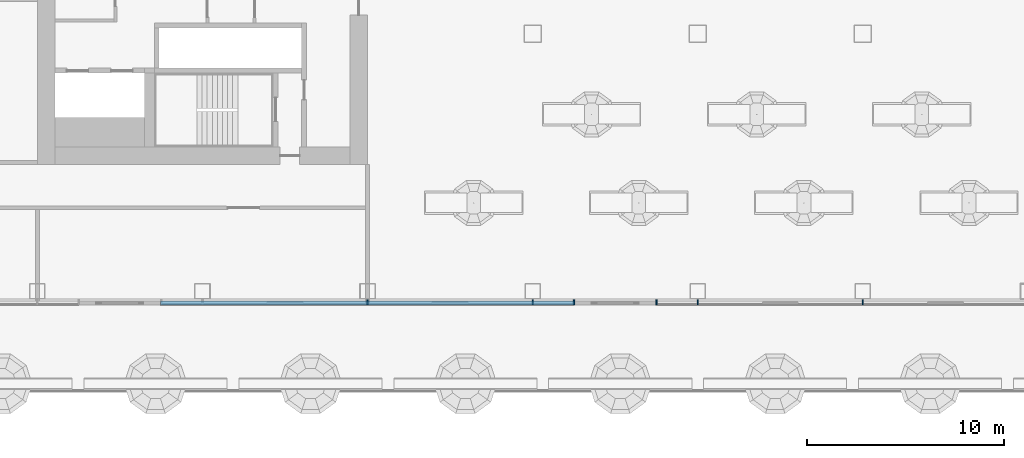
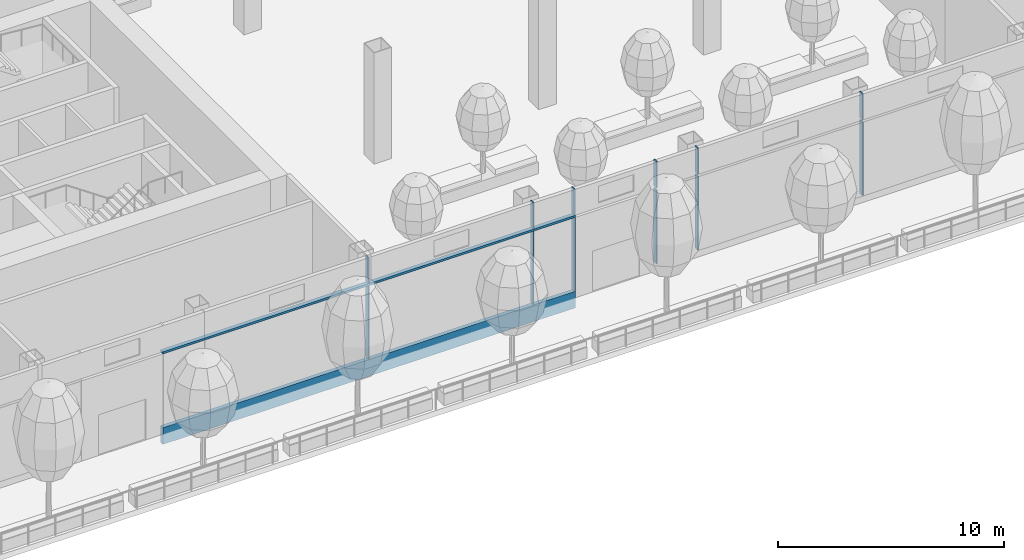
# One storey, part 3 of 44: 14 members, 1 element without a shape of its own.
"""IFC4 building model written with IfcOpenShell, lengths in metres."""

from ifc_helpers import new_model, si_unit, direction, frame, origin, origin_2d, place, context, subcontext, project, spatial, rectangle, extrude, material, layer, layer_set, material_profile, profile_set, type_object, element, aggregate, save


model = new_model("IFC4")

# Units and contexts
model_context = context("Model", 3, precision=1e-05, world=origin(), true_north=direction((0.0, 1.0)))
body_context = subcontext(model_context, "Body", "Model", "MODEL_VIEW")
ifc_project = project(units=[si_unit("LENGTHUNIT", "METRE"), si_unit("AREAUNIT", "SQUARE_METRE"), si_unit("VOLUMEUNIT", "CUBIC_METRE"), si_unit("PLANEANGLEUNIT", "RADIAN"), si_unit("MASSUNIT", "GRAM", prefix="KILO")], contexts=[model_context])

# Site, building, storey
site_placement = place(None, origin())
site = spatial("IfcSite", under=ifc_project, at=site_placement, CompositionType="ELEMENT")
building_placement = place(site_placement, origin())
building = spatial("IfcBuilding", under=site, at=building_placement, Name="Hakoniwa Tower and Hamabe Station Hall", CompositionType="ELEMENT")
storey_placement = place(building_placement, frame((0.0, 0.0, 69.0)))
storey = spatial("IfcBuildingStorey", under=building, at=storey_placement, Name="L19", CompositionType="ELEMENT", Elevation=69.0)

# Curtain wall, members
ifc_material_1 = material(Name="Dark low-e laminated glass", Category="glass")
ifc_layer = layer(ifc_material_1, 0.199951171875)
ifc_layer_set = layer_set([ifc_layer], Name="CW-2 SKY GARDEN")
curtain_wall_type = type_object("IfcCurtainWallType", Name="CW-2 SKY GARDEN", PredefinedType="NOTDEFINED", material=ifc_layer_set)
curtain_wall_placement = place(storey_placement, origin())
curtain_wall = element("IfcCurtainWall", 1, at=curtain_wall_placement, inside=storey, type_object=curtain_wall_type, Name="CW-2 curtain wall", PredefinedType="NOTDEFINED")
ifc_material_2 = material(Name="Aluminium 6063-T5 black anodised", Category="aluminium")
ifc_material_profile_1 = material_profile(ifc_material_2, rectangle(XDim=0.199951171875, YDim=0.1201171875, at=origin_2d()), Name="CW MID TRANSOM 120X200")
ifc_profile_set_1 = profile_set([ifc_material_profile_1], Name="Aluminium 6063-T5 black anodised")
member_type_1 = type_object("IfcMemberType", Name="CW MID TRANSOM 120X200", PredefinedType="USERDEFINED", material=ifc_profile_set_1)
member_1_placement = place(storey_placement, frame((-27.330078125, -15.449951171875, 4.389892578125), z_axis=(1.0, 0.0, 0.0), x_axis=(0.0, 1.0, 0.0)))
member_1 = element("IfcMember", 2, at=member_1_placement, type_object=member_type_1, Name="CW-2 transom", ObjectType="TRANSOM", PredefinedType="USERDEFINED", context=body_context, shape_type="SweptSolid", body=[
    extrude(rectangle(XDim=0.199951171875, YDim=0.1201171875, at=origin_2d()), origin(), (0.0, 0.0, 1.0), 21.06005859375),
])
ifc_material_3 = material(Name="Aluminium 6063-T5 black anodised", Category="aluminium")
ifc_material_profile_2 = material_profile(ifc_material_3, rectangle(XDim=0.199951171875, YDim=0.89990234375, at=origin_2d()), Name="CW SLAB-EDGE BAND 900X200")
ifc_profile_set_2 = profile_set([ifc_material_profile_2], Name="Aluminium 6063-T5 black anodised")
member_type_2 = type_object("IfcMemberType", Name="CW SLAB-EDGE BAND 900X200", PredefinedType="USERDEFINED", material=ifc_profile_set_2)
member_2_placement = place(storey_placement, frame((-27.330078125, -15.449951171875, -0.10009765625), z_axis=(1.0, 0.0, 0.0), x_axis=(0.0, 1.0, 0.0)))
member_2 = element("IfcMember", 3, at=member_2_placement, type_object=member_type_2, Name="CW-2 transom", ObjectType="TRANSOM", PredefinedType="USERDEFINED", context=body_context, shape_type="SweptSolid", body=[
    extrude(rectangle(XDim=0.199951171875, YDim=0.89990234375, at=origin_2d()), origin(), (0.0, 0.0, 1.0), 21.06005859375),
])
ifc_material_4 = material(Name="Aluminium 6063-T5 black anodised", Category="aluminium")
ifc_material_profile_3 = material_profile(ifc_material_4, rectangle(XDim=0.06005859375, YDim=0.239990234375, at=origin_2d()), Name="CW-2 MULLION 60X240")
ifc_profile_set_3 = profile_set([ifc_material_profile_3], Name="Aluminium 6063-T5 black anodised")
member_type_3 = type_object("IfcMemberType", Name="CW-2 MULLION 60X240", PredefinedType="MULLION", material=ifc_profile_set_3)
member_3_placement = place(storey_placement, frame((-16.800048828125, -15.402099609375, 0.35009765625), z_axis=(0.0, 0.0, 1.0), x_axis=(1.0, 0.0, 0.0)))
member_3 = element("IfcMember", 4, at=member_3_placement, type_object=member_type_3, Name="CW-2 mullion", PredefinedType="MULLION", context=body_context, shape_type="SweptSolid", body=[
    extrude(rectangle(XDim=0.06005859375, YDim=0.239990234375, at=origin_2d()), origin(), (0.0, 0.0, 1.0), 3.97998046875),
])
member_4_placement = place(storey_placement, frame((-16.800048828125, -15.402099609375, 4.449951171875), z_axis=(0.0, 0.0, 1.0), x_axis=(1.0, 0.0, 0.0)))
member_4 = element("IfcMember", 5, at=member_4_placement, type_object=member_type_3, Name="CW-2 mullion", PredefinedType="MULLION", context=body_context, shape_type="SweptSolid", body=[
    extrude(rectangle(XDim=0.06005859375, YDim=0.239990234375, at=origin_2d()), origin(), (0.0, 0.0, 1.0), 1.400146484375),
])
member_5_placement = place(storey_placement, frame((-8.39990234375, -15.402099609375, 0.35009765625), z_axis=(0.0, 0.0, 1.0), x_axis=(1.0, 0.0, 0.0)))
member_5 = element("IfcMember", 6, at=member_5_placement, type_object=member_type_3, Name="CW-2 mullion", PredefinedType="MULLION", context=body_context, shape_type="SweptSolid", body=[
    extrude(rectangle(XDim=0.06005859375, YDim=0.239990234375, at=origin_2d()), origin(), (0.0, 0.0, 1.0), 3.97998046875),
])
member_6_placement = place(storey_placement, frame((-8.39990234375, -15.402099609375, 4.449951171875), z_axis=(0.0, 0.0, 1.0), x_axis=(1.0, 0.0, 0.0)))
member_6 = element("IfcMember", 7, at=member_6_placement, type_object=member_type_3, Name="CW-2 mullion", PredefinedType="MULLION", context=body_context, shape_type="SweptSolid", body=[
    extrude(rectangle(XDim=0.06005859375, YDim=0.239990234375, at=origin_2d()), origin(), (0.0, 0.0, 1.0), 1.400146484375),
])
member_7_placement = place(storey_placement, frame((-6.300048828125, -15.402099609375, 0.35009765625), z_axis=(0.0, 0.0, 1.0), x_axis=(1.0, 0.0, 0.0)))
member_7 = element("IfcMember", 8, at=member_7_placement, type_object=member_type_3, Name="CW-2 mullion", PredefinedType="MULLION", context=body_context, shape_type="SweptSolid", body=[
    extrude(rectangle(XDim=0.06005859375, YDim=0.239990234375, at=origin_2d()), origin(), (0.0, 0.0, 1.0), 3.97998046875),
])
member_8_placement = place(storey_placement, frame((-6.300048828125, -15.402099609375, 4.449951171875), z_axis=(0.0, 0.0, 1.0), x_axis=(1.0, 0.0, 0.0)))
member_8 = element("IfcMember", 9, at=member_8_placement, type_object=member_type_3, Name="CW-2 mullion", PredefinedType="MULLION", context=body_context, shape_type="SweptSolid", body=[
    extrude(rectangle(XDim=0.06005859375, YDim=0.239990234375, at=origin_2d()), origin(), (0.0, 0.0, 1.0), 1.400146484375),
])
member_9_placement = place(storey_placement, frame((-2.10009765625, -15.402099609375, 0.35009765625), z_axis=(0.0, 0.0, 1.0), x_axis=(1.0, 0.0, 0.0)))
member_9 = element("IfcMember", 10, at=member_9_placement, type_object=member_type_3, Name="CW-2 mullion", PredefinedType="MULLION", context=body_context, shape_type="SweptSolid", body=[
    extrude(rectangle(XDim=0.06005859375, YDim=0.239990234375, at=origin_2d()), origin(), (0.0, 0.0, 1.0), 3.97998046875),
])
member_10_placement = place(storey_placement, frame((-2.10009765625, -15.402099609375, 4.449951171875), z_axis=(0.0, 0.0, 1.0), x_axis=(1.0, 0.0, 0.0)))
member_10 = element("IfcMember", 11, at=member_10_placement, type_object=member_type_3, Name="CW-2 mullion", PredefinedType="MULLION", context=body_context, shape_type="SweptSolid", body=[
    extrude(rectangle(XDim=0.06005859375, YDim=0.239990234375, at=origin_2d()), origin(), (0.0, 0.0, 1.0), 1.400146484375),
])
member_11_placement = place(storey_placement, frame((0.0, -15.402099609375, 0.35009765625), z_axis=(0.0, 0.0, 1.0), x_axis=(1.0, 0.0, 0.0)))
member_11 = element("IfcMember", 12, at=member_11_placement, type_object=member_type_3, Name="CW-2 mullion", PredefinedType="MULLION", context=body_context, shape_type="SweptSolid", body=[
    extrude(rectangle(XDim=0.06005859375, YDim=0.239990234375, at=origin_2d()), origin(), (0.0, 0.0, 1.0), 3.97998046875),
])
member_12_placement = place(storey_placement, frame((0.0, -15.402099609375, 4.449951171875), z_axis=(0.0, 0.0, 1.0), x_axis=(1.0, 0.0, 0.0)))
member_12 = element("IfcMember", 13, at=member_12_placement, type_object=member_type_3, Name="CW-2 mullion", PredefinedType="MULLION", context=body_context, shape_type="SweptSolid", body=[
    extrude(rectangle(XDim=0.06005859375, YDim=0.239990234375, at=origin_2d()), origin(), (0.0, 0.0, 1.0), 1.400146484375),
])
member_13_placement = place(storey_placement, frame((8.39990234375, -15.402099609375, 0.35009765625), z_axis=(0.0, 0.0, 1.0), x_axis=(1.0, 0.0, 0.0)))
member_13 = element("IfcMember", 14, at=member_13_placement, type_object=member_type_3, Name="CW-2 mullion", PredefinedType="MULLION", context=body_context, shape_type="SweptSolid", body=[
    extrude(rectangle(XDim=0.06005859375, YDim=0.239990234375, at=origin_2d()), origin(), (0.0, 0.0, 1.0), 3.97998046875),
])
member_14_placement = place(storey_placement, frame((8.39990234375, -15.402099609375, 4.449951171875), z_axis=(0.0, 0.0, 1.0), x_axis=(1.0, 0.0, 0.0)))
member_14 = element("IfcMember", 15, at=member_14_placement, type_object=member_type_3, Name="CW-2 mullion", PredefinedType="MULLION", context=body_context, shape_type="SweptSolid", body=[
    extrude(rectangle(XDim=0.06005859375, YDim=0.239990234375, at=origin_2d()), origin(), (0.0, 0.0, 1.0), 1.400146484375),
])
aggregate(curtain_wall, [member_3, member_4, member_5, member_6, member_7, member_8, member_9, member_10, member_11, member_12, member_13, member_14, member_2, member_1])

save(model, "model.ifc")
